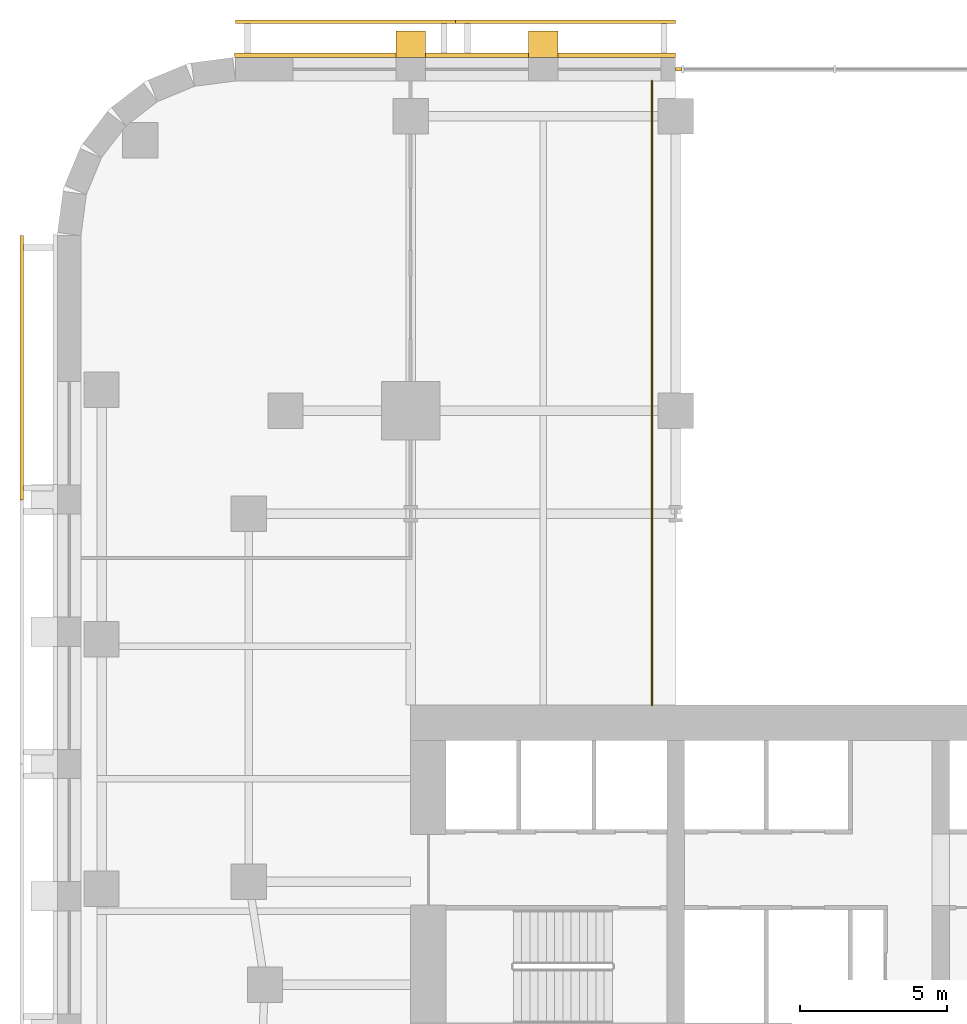
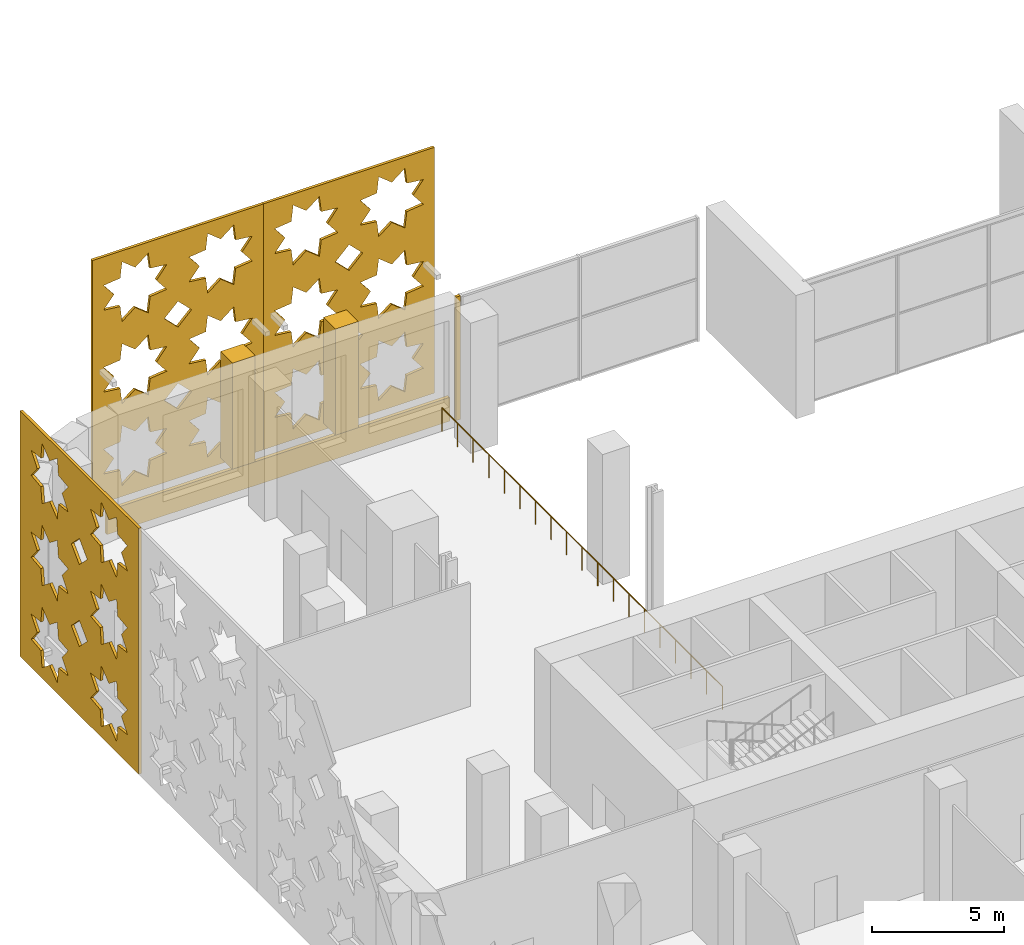
# One storey, part 14 of 17: 7 coverings, 1 railing.
"""IFC4 building model written with IfcOpenShell, lengths in metres."""

from ifc_helpers import new_model, si_unit, direction, frame, origin, origin_2d, place, context, subcontext, project, spatial, polyline, rectangle, circle, outline, extrude, material, layer, layer_set, type_object, element, save


model = new_model("IFC4")

# Units and contexts
model_context = context("Model", 3, precision=1e-05, world=origin(), true_north=direction((0.0, 1.0)))
body_context = subcontext(model_context, "Body", "Model", "MODEL_VIEW")
ifc_project = project(units=[si_unit("LENGTHUNIT", "METRE"), si_unit("AREAUNIT", "SQUARE_METRE"), si_unit("VOLUMEUNIT", "CUBIC_METRE"), si_unit("PLANEANGLEUNIT", "RADIAN"), si_unit("MASSUNIT", "GRAM", prefix="KILO")], contexts=[model_context])

# Site, building, storey
site_placement = place(None, origin())
site = spatial("IfcSite", under=ifc_project, at=site_placement, CompositionType="ELEMENT")
building_placement = place(site_placement, origin())
building = spatial("IfcBuilding", under=site, at=building_placement, Name="Zellij Exchange Tower", CompositionType="ELEMENT")
storey_placement = place(building_placement, frame((0.0, 0.0, 9.0)))
storey = spatial("IfcBuildingStorey", under=building, at=storey_placement, Name="L01", CompositionType="ELEMENT", Elevation=9.0)

# Coverings
ifc_material_1 = material(Name="Limestone cladding", Category="masonry")
ifc_layer_1 = layer(ifc_material_1, 0.14990234375)
ifc_layer_set_1 = layer_set([ifc_layer_1], Name="Limestone cladding")
covering_type_1 = type_object("IfcCoveringType", Name="ENV-CV1 Stone spandrel band 150", PredefinedType="CLADDING", material=ifc_layer_set_1)
covering_1_placement = place(storey_placement, frame((0.0, 0.0, -0.300048828125)))
element("IfcCovering", 1, at=covering_1_placement, inside=storey, type_object=covering_type_1, Name="Stone spandrel band", PredefinedType="CLADDING", context=body_context, shape_type="SweptSolid", body=[
    extrude(outline(polyline([(-18.0, 20.0), (-32.973876953125, 20.0), (-32.983642578125, 20.14990234375), (-18.0, 20.14990234375), (-18.0, 20.0)])), origin(), (0.0, 0.0, 1.0), 1.10009765625),
])
ifc_layer_2 = layer(ifc_material_1, 0.1201171875)
ifc_layer_set_2 = layer_set([ifc_layer_2], Name="Limestone cladding")
covering_type_2 = type_object("IfcCoveringType", Name="ENV-CV18 Glazing closer 120", PredefinedType="CLADDING", material=ifc_layer_set_2)
covering_2_placement = place(storey_placement, frame((-17.89990234375, 19.60009765625, 0.0), z_axis=(0.0, 0.0, 1.0), x_axis=(-1.0, 0.0, 0.0)))
element("IfcCovering", 2, at=covering_2_placement, inside=storey, type_object=covering_type_2, Name="Glazing closer", PredefinedType="CLADDING", context=body_context, shape_type="SweptSolid", body=[
    extrude(rectangle(XDim=0.199951171875, YDim=0.1201171875, at=origin_2d()), origin(), (0.0, 0.0, 1.0), 5.699951171875),
])
covering_type_3 = type_object("IfcCoveringType", Name="ENV-CV2 Stone pier 1000x900", PredefinedType="CLADDING", material=ifc_material_1)
covering_3_placement = place(storey_placement, frame((0.0, 0.0, 0.800048828125)))
element("IfcCovering", 3, at=covering_3_placement, inside=storey, type_object=covering_type_3, Name="Stone pier", PredefinedType="CLADDING", context=body_context, shape_type="SweptSolid", body=[
    extrude(outline(polyline([(-22.0, 20.0), (-23.0, 20.0), (-23.0, 20.89990234375), (-22.0, 20.89990234375), (-22.0, 20.0)])), origin(), (0.0, 0.0, 1.0), 4.89990234375),
])
covering_4_placement = place(storey_placement, frame((0.0, 0.0, 0.800048828125)))
element("IfcCovering", 4, at=covering_4_placement, inside=storey, type_object=covering_type_3, Name="Stone pier", PredefinedType="CLADDING", context=body_context, shape_type="SweptSolid", body=[
    extrude(outline(polyline([(-26.5, 20.0), (-27.5, 20.0), (-27.5, 20.89990234375), (-26.5, 20.89990234375), (-26.5, 20.0)])), origin(), (0.0, 0.0, 1.0), 4.89990234375),
])
ifc_material_2 = material(Name="Limestone screen", Category="masonry")
ifc_layer_3 = layer(ifc_material_2, 0.1201171875)
ifc_layer_set_3 = layer_set([ifc_layer_3], Name="Limestone screen")
covering_type_4 = type_object("IfcCoveringType", Name="ENV-SC1 Pierced stone screen 120", PredefinedType="USERDEFINED", material=ifc_layer_set_3)
covering_5_placement = place(storey_placement, frame((-40.2099609375, 13.947509765625, 0.300048828125), z_axis=(0.0, 0.0, 1.0), x_axis=(0.0, -1.0, 0.0)))
element("IfcCovering", 5, at=covering_5_placement, inside=storey, type_object=covering_type_4, Name="Pierced stone screen", ObjectType="SCREEN", PredefinedType="USERDEFINED", context=body_context, shape_type="SweptSolid", body=[
    extrude(outline(polyline([(0.0, 0.0), (8.973876953125, 0.0), (8.973876953125, 11.35009765625), (0.0, 11.35009765625), (0.0, 0.0)]), holes=[polyline([(3.6416015625, 2.470703125), (2.906982421875, 2.55517578125), (2.822509765625, 3.289794921875), (2.243408203125, 2.829833984375), (1.664306640625, 3.289794921875), (1.580078125, 2.55517578125), (0.84521484375, 2.470703125), (1.30517578125, 1.8916015625), (0.84521484375, 1.3125), (1.580078125, 1.228271484375), (1.664306640625, 0.493408203125), (2.243408203125, 0.953369140625), (2.822509765625, 0.493408203125), (2.906982421875, 1.228271484375), (3.6416015625, 1.3125), (3.181640625, 1.8916015625), (3.6416015625, 2.470703125)]), polyline([(3.6416015625, 6.254150390625), (2.906982421875, 6.33837890625), (2.822509765625, 7.072998046875), (2.243408203125, 6.61328125), (1.664306640625, 7.072998046875), (1.580078125, 6.33837890625), (0.84521484375, 6.254150390625), (1.30517578125, 5.675048828125), (0.84521484375, 5.095947265625), (1.580078125, 5.011474609375), (1.664306640625, 4.27685546875), (2.243408203125, 4.73681640625), (2.822509765625, 4.27685546875), (2.906982421875, 5.011474609375), (3.6416015625, 5.095947265625), (3.181640625, 5.675048828125), (3.6416015625, 6.254150390625)]), polyline([(3.6416015625, 10.03759765625), (2.906982421875, 10.121826171875), (2.822509765625, 10.8564453125), (2.243408203125, 10.396484375), (1.664306640625, 10.8564453125), (1.580078125, 10.121826171875), (0.84521484375, 10.03759765625), (1.30517578125, 9.458251953125), (0.84521484375, 8.879150390625), (1.580078125, 8.794921875), (1.664306640625, 8.060302734375), (2.243408203125, 8.52001953125), (2.822509765625, 8.060302734375), (2.906982421875, 8.794921875), (3.6416015625, 8.879150390625), (3.181640625, 9.458251953125), (3.6416015625, 10.03759765625)]), polyline([(8.12841796875, 2.470703125), (7.393798828125, 2.55517578125), (7.3095703125, 3.289794921875), (6.730224609375, 2.829833984375), (6.151123046875, 3.289794921875), (6.06689453125, 2.55517578125), (5.332275390625, 2.470703125), (5.7919921875, 1.8916015625), (5.332275390625, 1.3125), (6.06689453125, 1.228271484375), (6.151123046875, 0.493408203125), (6.730224609375, 0.953369140625), (7.3095703125, 0.493408203125), (7.393798828125, 1.228271484375), (8.12841796875, 1.3125), (7.668701171875, 1.8916015625), (8.12841796875, 2.470703125)]), polyline([(8.12841796875, 6.254150390625), (7.393798828125, 6.33837890625), (7.3095703125, 7.072998046875), (6.730224609375, 6.61328125), (6.151123046875, 7.072998046875), (6.06689453125, 6.33837890625), (5.332275390625, 6.254150390625), (5.7919921875, 5.675048828125), (5.332275390625, 5.095947265625), (6.06689453125, 5.011474609375), (6.151123046875, 4.27685546875), (6.730224609375, 4.73681640625), (7.3095703125, 4.27685546875), (7.393798828125, 5.011474609375), (8.12841796875, 5.095947265625), (7.668701171875, 5.675048828125), (8.12841796875, 6.254150390625)]), polyline([(8.12841796875, 10.03759765625), (7.393798828125, 10.121826171875), (7.3095703125, 10.8564453125), (6.730224609375, 10.396484375), (6.151123046875, 10.8564453125), (6.06689453125, 10.121826171875), (5.332275390625, 10.03759765625), (5.7919921875, 9.458251953125), (5.332275390625, 8.879150390625), (6.06689453125, 8.794921875), (6.151123046875, 8.060302734375), (6.730224609375, 8.52001953125), (7.3095703125, 8.060302734375), (7.393798828125, 8.794921875), (8.12841796875, 8.879150390625), (7.668701171875, 9.458251953125), (8.12841796875, 10.03759765625)]), polyline([(5.09228515625, 3.783203125), (4.48681640625, 4.388671875), (3.881591796875, 3.783203125), (4.48681640625, 3.177978515625), (5.09228515625, 3.783203125)]), polyline([(5.09228515625, 7.566650390625), (4.48681640625, 8.172119140625), (3.881591796875, 7.566650390625), (4.48681640625, 6.961181640625), (5.09228515625, 7.566650390625)])]), frame((0.0, 0.06005859375, 0.0), z_axis=(0.0, -1.0, 0.0), x_axis=(1.0, 0.0, 0.0)), (0.0, 0.0, 1.0), 0.1201171875),
])
covering_6_placement = place(storey_placement, frame((-18.0, 21.2099609375, 0.300048828125), z_axis=(0.0, 0.0, 1.0), x_axis=(-1.0, 0.0, 0.0)))
element("IfcCovering", 6, at=covering_6_placement, inside=storey, type_object=covering_type_4, Name="Pierced stone screen", ObjectType="SCREEN", PredefinedType="USERDEFINED", context=body_context, shape_type="SweptSolid", body=[
    extrude(outline(polyline([(0.0, 0.0), (7.473876953125, 0.0), (7.473876953125, 11.35009765625), (0.0, 11.35009765625), (0.0, 0.0)]), holes=[polyline([(3.24951171875, 2.463623046875), (2.523681640625, 2.547119140625), (2.4404296875, 3.272705078125), (1.868408203125, 2.818359375), (1.29638671875, 3.272705078125), (1.213134765625, 2.547119140625), (0.487548828125, 2.463623046875), (0.941650390625, 1.8916015625), (0.487548828125, 1.319580078125), (1.213134765625, 1.236328125), (1.29638671875, 0.5107421875), (1.868408203125, 0.96484375), (2.4404296875, 0.5107421875), (2.523681640625, 1.236328125), (3.24951171875, 1.319580078125), (2.795166015625, 1.8916015625), (3.24951171875, 2.463623046875)]), polyline([(3.24951171875, 6.2470703125), (2.523681640625, 6.330322265625), (2.4404296875, 7.055908203125), (1.868408203125, 6.601806640625), (1.29638671875, 7.055908203125), (1.213134765625, 6.330322265625), (0.487548828125, 6.2470703125), (0.941650390625, 5.675048828125), (0.487548828125, 5.10302734375), (1.213134765625, 5.019775390625), (1.29638671875, 4.2939453125), (1.868408203125, 4.748291015625), (2.4404296875, 4.2939453125), (2.523681640625, 5.019775390625), (3.24951171875, 5.10302734375), (2.795166015625, 5.675048828125), (3.24951171875, 6.2470703125)]), polyline([(3.24951171875, 10.030517578125), (2.523681640625, 10.113525390625), (2.4404296875, 10.83935546875), (1.868408203125, 10.385009765625), (1.29638671875, 10.83935546875), (1.213134765625, 10.113525390625), (0.487548828125, 10.030517578125), (0.941650390625, 9.458251953125), (0.487548828125, 8.88623046875), (1.213134765625, 8.802978515625), (1.29638671875, 8.077392578125), (1.868408203125, 8.531494140625), (2.4404296875, 8.077392578125), (2.523681640625, 8.802978515625), (3.24951171875, 8.88623046875), (2.795166015625, 9.458251953125), (3.24951171875, 10.030517578125)]), polyline([(6.986328125, 2.463623046875), (6.2607421875, 2.547119140625), (6.177490234375, 3.272705078125), (5.605224609375, 2.818359375), (5.033203125, 3.272705078125), (4.949951171875, 2.547119140625), (4.224365234375, 2.463623046875), (4.6787109375, 1.8916015625), (4.224365234375, 1.319580078125), (4.949951171875, 1.236328125), (5.033203125, 0.5107421875), (5.605224609375, 0.96484375), (6.177490234375, 0.5107421875), (6.2607421875, 1.236328125), (6.986328125, 1.319580078125), (6.531982421875, 1.8916015625), (6.986328125, 2.463623046875)]), polyline([(6.986328125, 6.2470703125), (6.2607421875, 6.330322265625), (6.177490234375, 7.055908203125), (5.605224609375, 6.601806640625), (5.033203125, 7.055908203125), (4.949951171875, 6.330322265625), (4.224365234375, 6.2470703125), (4.6787109375, 5.675048828125), (4.224365234375, 5.10302734375), (4.949951171875, 5.019775390625), (5.033203125, 4.2939453125), (5.605224609375, 4.748291015625), (6.177490234375, 4.2939453125), (6.2607421875, 5.019775390625), (6.986328125, 5.10302734375), (6.531982421875, 5.675048828125), (6.986328125, 6.2470703125)]), polyline([(6.986328125, 10.030517578125), (6.2607421875, 10.113525390625), (6.177490234375, 10.83935546875), (5.605224609375, 10.385009765625), (5.033203125, 10.83935546875), (4.949951171875, 10.113525390625), (4.224365234375, 10.030517578125), (4.6787109375, 9.458251953125), (4.224365234375, 8.88623046875), (4.949951171875, 8.802978515625), (5.033203125, 8.077392578125), (5.605224609375, 8.531494140625), (6.177490234375, 8.077392578125), (6.2607421875, 8.802978515625), (6.986328125, 8.88623046875), (6.531982421875, 9.458251953125), (6.986328125, 10.030517578125)]), polyline([(4.334716796875, 3.783203125), (3.73681640625, 4.381103515625), (3.138916015625, 3.783203125), (3.73681640625, 3.185302734375), (4.334716796875, 3.783203125)]), polyline([(4.334716796875, 7.566650390625), (3.73681640625, 8.16455078125), (3.138916015625, 7.566650390625), (3.73681640625, 6.96875), (4.334716796875, 7.566650390625)])]), frame((0.0, 0.06005859375, 0.0), z_axis=(0.0, -1.0, 0.0), x_axis=(1.0, 0.0, 0.0)), (0.0, 0.0, 1.0), 0.1201171875),
])
covering_7_placement = place(storey_placement, frame((-25.473876953125, 21.2099609375, 0.300048828125), z_axis=(0.0, 0.0, 1.0), x_axis=(-1.0, 0.0, 0.0)))
element("IfcCovering", 7, at=covering_7_placement, inside=storey, type_object=covering_type_4, Name="Pierced stone screen", ObjectType="SCREEN", PredefinedType="USERDEFINED", context=body_context, shape_type="SweptSolid", body=[
    extrude(outline(polyline([(0.0, 0.0), (7.473876953125, 0.0), (7.473876953125, 11.35009765625), (0.0, 11.35009765625), (0.0, 0.0)]), holes=[polyline([(3.24951171875, 2.463623046875), (2.523681640625, 2.547119140625), (2.4404296875, 3.272705078125), (1.868408203125, 2.818359375), (1.29638671875, 3.272705078125), (1.213134765625, 2.547119140625), (0.487548828125, 2.463623046875), (0.941650390625, 1.8916015625), (0.487548828125, 1.319580078125), (1.213134765625, 1.236328125), (1.29638671875, 0.5107421875), (1.868408203125, 0.96484375), (2.4404296875, 0.5107421875), (2.523681640625, 1.236328125), (3.24951171875, 1.319580078125), (2.795166015625, 1.8916015625), (3.24951171875, 2.463623046875)]), polyline([(3.24951171875, 6.2470703125), (2.523681640625, 6.330322265625), (2.4404296875, 7.055908203125), (1.868408203125, 6.601806640625), (1.29638671875, 7.055908203125), (1.213134765625, 6.330322265625), (0.487548828125, 6.2470703125), (0.941650390625, 5.675048828125), (0.487548828125, 5.10302734375), (1.213134765625, 5.019775390625), (1.29638671875, 4.2939453125), (1.868408203125, 4.748291015625), (2.4404296875, 4.2939453125), (2.523681640625, 5.019775390625), (3.24951171875, 5.10302734375), (2.795166015625, 5.675048828125), (3.24951171875, 6.2470703125)]), polyline([(3.24951171875, 10.030517578125), (2.523681640625, 10.113525390625), (2.4404296875, 10.83935546875), (1.868408203125, 10.385009765625), (1.29638671875, 10.83935546875), (1.213134765625, 10.113525390625), (0.487548828125, 10.030517578125), (0.941650390625, 9.458251953125), (0.487548828125, 8.88623046875), (1.213134765625, 8.802978515625), (1.29638671875, 8.077392578125), (1.868408203125, 8.531494140625), (2.4404296875, 8.077392578125), (2.523681640625, 8.802978515625), (3.24951171875, 8.88623046875), (2.795166015625, 9.458251953125), (3.24951171875, 10.030517578125)]), polyline([(6.986328125, 2.463623046875), (6.2607421875, 2.547119140625), (6.177490234375, 3.272705078125), (5.605224609375, 2.818359375), (5.033203125, 3.272705078125), (4.949951171875, 2.547119140625), (4.224365234375, 2.463623046875), (4.6787109375, 1.8916015625), (4.224365234375, 1.319580078125), (4.949951171875, 1.236328125), (5.033203125, 0.5107421875), (5.605224609375, 0.96484375), (6.177490234375, 0.5107421875), (6.2607421875, 1.236328125), (6.986328125, 1.319580078125), (6.531982421875, 1.8916015625), (6.986328125, 2.463623046875)]), polyline([(6.986328125, 6.2470703125), (6.2607421875, 6.330322265625), (6.177490234375, 7.055908203125), (5.605224609375, 6.601806640625), (5.033203125, 7.055908203125), (4.949951171875, 6.330322265625), (4.224365234375, 6.2470703125), (4.6787109375, 5.675048828125), (4.224365234375, 5.10302734375), (4.949951171875, 5.019775390625), (5.033203125, 4.2939453125), (5.605224609375, 4.748291015625), (6.177490234375, 4.2939453125), (6.2607421875, 5.019775390625), (6.986328125, 5.10302734375), (6.531982421875, 5.675048828125), (6.986328125, 6.2470703125)]), polyline([(6.986328125, 10.030517578125), (6.2607421875, 10.113525390625), (6.177490234375, 10.83935546875), (5.605224609375, 10.385009765625), (5.033203125, 10.83935546875), (4.949951171875, 10.113525390625), (4.224365234375, 10.030517578125), (4.6787109375, 9.458251953125), (4.224365234375, 8.88623046875), (4.949951171875, 8.802978515625), (5.033203125, 8.077392578125), (5.605224609375, 8.531494140625), (6.177490234375, 8.077392578125), (6.2607421875, 8.802978515625), (6.986328125, 8.88623046875), (6.531982421875, 9.458251953125), (6.986328125, 10.030517578125)]), polyline([(4.334716796875, 3.783203125), (3.73681640625, 4.381103515625), (3.138916015625, 3.783203125), (3.73681640625, 3.185302734375), (4.334716796875, 3.783203125)]), polyline([(4.334716796875, 7.566650390625), (3.73681640625, 8.16455078125), (3.138916015625, 7.566650390625), (3.73681640625, 6.96875), (4.334716796875, 7.566650390625)])]), frame((0.0, 0.06005859375, 0.0), z_axis=(0.0, -1.0, 0.0), x_axis=(1.0, 0.0, 0.0)), (0.0, 0.0, 1.0), 0.1201171875),
])

# Railing
ifc_material_3 = material(Name="Steel and glass guard", Category="steel")
railing_type = type_object("IfcRailingType", Name="FIT-GUARD-1100", PredefinedType="GUARDRAIL", material=ifc_material_3)
railing_placement = place(storey_placement, frame((-18.800048828125, -2.0, 0.0)))
element("IfcRailing", 8, at=railing_placement, inside=storey, type_object=railing_type, Name="Hall edge guard 001", PredefinedType="GUARDRAIL", context=body_context, shape_type="SweptSolid", body=[
    extrude(circle(Radius=0.02490234375, at=origin_2d()), frame((0.0, 0.0, 1.0751953125), z_axis=(0.0, 1.0, 0.0), x_axis=(-1.0, 0.0, 0.0)), (0.0, 0.0, 1.0), 21.199951171875),
    extrude(circle(Radius=0.02001953125, at=origin_2d()), origin(), (0.0, 0.0, 1.0), 1.050048828125),
    extrude(circle(Radius=0.02001953125, at=origin_2d()), frame((0.0, 1.177734375, 0.0)), (0.0, 0.0, 1.0), 1.050048828125),
    extrude(circle(Radius=0.02001953125, at=origin_2d()), frame((0.0, 2.35546875, 0.0)), (0.0, 0.0, 1.0), 1.050048828125),
    extrude(circle(Radius=0.02001953125, at=origin_2d()), frame((0.0, 3.533203125, 0.0)), (0.0, 0.0, 1.0), 1.050048828125),
    extrude(circle(Radius=0.02001953125, at=origin_2d()), frame((0.0, 4.711181640625, 0.0)), (0.0, 0.0, 1.0), 1.050048828125),
    extrude(circle(Radius=0.02001953125, at=origin_2d()), frame((0.0, 5.888916015625, 0.0)), (0.0, 0.0, 1.0), 1.050048828125),
    extrude(circle(Radius=0.02001953125, at=origin_2d()), frame((0.0, 7.066650390625, 0.0)), (0.0, 0.0, 1.0), 1.050048828125),
    extrude(circle(Radius=0.02001953125, at=origin_2d()), frame((0.0, 8.244384765625, 0.0)), (0.0, 0.0, 1.0), 1.050048828125),
    extrude(circle(Radius=0.02001953125, at=origin_2d()), frame((0.0, 9.422119140625, 0.0)), (0.0, 0.0, 1.0), 1.050048828125),
    extrude(circle(Radius=0.02001953125, at=origin_2d()), frame((0.0, 10.60009765625, 0.0)), (0.0, 0.0, 1.0), 1.050048828125),
    extrude(circle(Radius=0.02001953125, at=origin_2d()), frame((0.0, 11.77783203125, 0.0)), (0.0, 0.0, 1.0), 1.050048828125),
    extrude(circle(Radius=0.02001953125, at=origin_2d()), frame((0.0, 12.95556640625, 0.0)), (0.0, 0.0, 1.0), 1.050048828125),
    extrude(circle(Radius=0.02001953125, at=origin_2d()), frame((0.0, 14.13330078125, 0.0)), (0.0, 0.0, 1.0), 1.050048828125),
    extrude(circle(Radius=0.02001953125, at=origin_2d()), frame((0.0, 15.31103515625, 0.0)), (0.0, 0.0, 1.0), 1.050048828125),
    extrude(circle(Radius=0.02001953125, at=origin_2d()), frame((0.0, 16.48876953125, 0.0)), (0.0, 0.0, 1.0), 1.050048828125),
    extrude(circle(Radius=0.02001953125, at=origin_2d()), frame((0.0, 17.66650390625, 0.0)), (0.0, 0.0, 1.0), 1.050048828125),
    extrude(circle(Radius=0.02001953125, at=origin_2d()), frame((0.0, 18.844482421875, 0.0)), (0.0, 0.0, 1.0), 1.050048828125),
    extrude(circle(Radius=0.02001953125, at=origin_2d()), frame((0.0, 20.022216796875, 0.0)), (0.0, 0.0, 1.0), 1.050048828125),
    extrude(circle(Radius=0.02001953125, at=origin_2d()), frame((0.0, 21.199951171875, 0.0)), (0.0, 0.0, 1.0), 1.050048828125),
])

save(model, "model.ifc")
